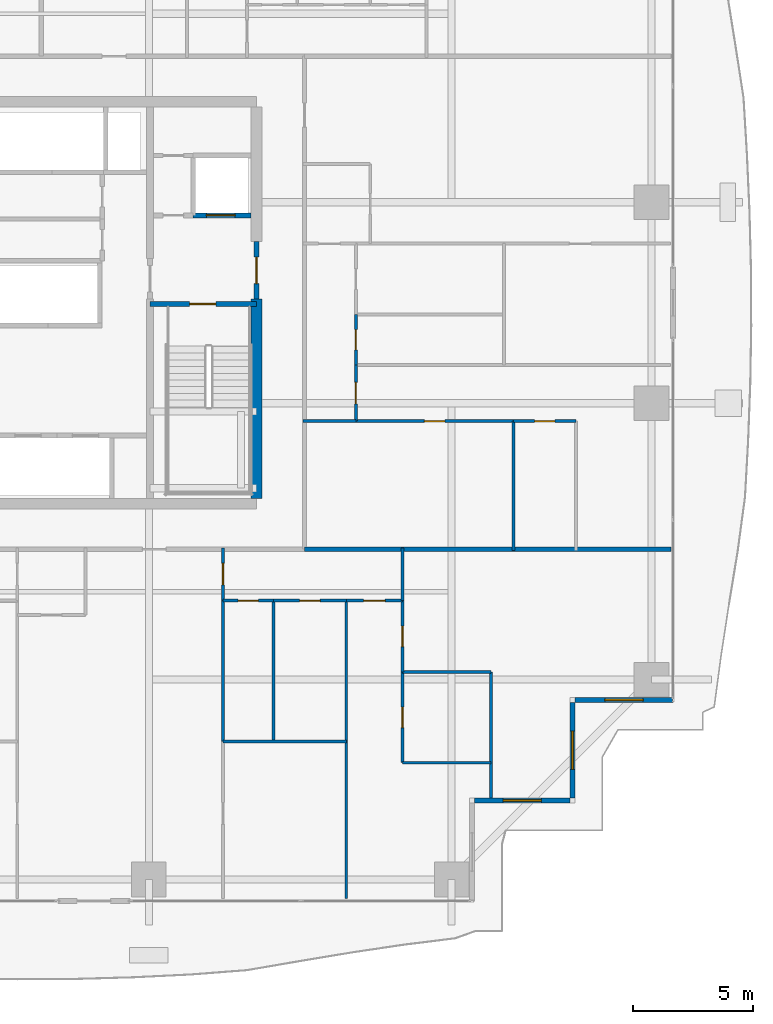
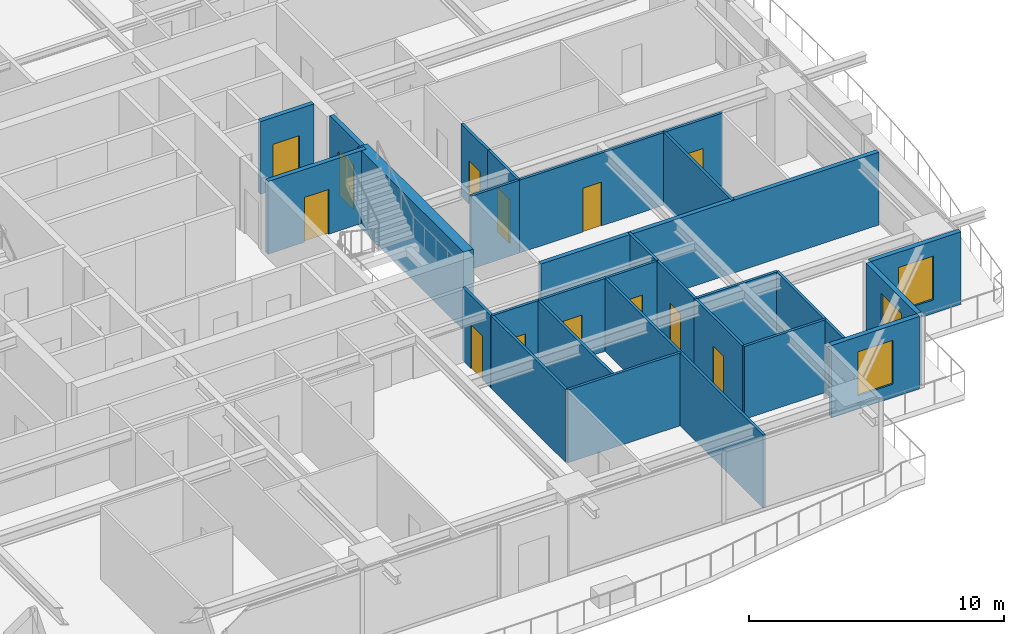
# One storey, part 29 of 39: 28 walls, 13 doors, 3 windows, 16 openings.
"""IFC4 building model written with IfcOpenShell, lengths in metres."""

from ifc_helpers import new_model, si_unit, direction, frame, frame_2d, origin, place, context, subcontext, project, spatial, rectangle, extrude, source, transform, mapped, material, layer, layer_set, type_object, element, fill, save


model = new_model("IFC4")

# Units and contexts
model_context = context("Model", 3, precision=1e-05, world=origin(), true_north=direction((0.0, 1.0)))
body_context = subcontext(model_context, "Body", "Model", "MODEL_VIEW")
ifc_project = project(units=[si_unit("LENGTHUNIT", "METRE"), si_unit("AREAUNIT", "SQUARE_METRE"), si_unit("VOLUMEUNIT", "CUBIC_METRE"), si_unit("PLANEANGLEUNIT", "RADIAN"), si_unit("MASSUNIT", "GRAM", prefix="KILO")], contexts=[model_context])

# Site, building, storey
site_placement = place(None, origin())
site = spatial("IfcSite", under=ifc_project, at=site_placement, CompositionType="ELEMENT")
building_placement = place(site_placement, origin())
building = spatial("IfcBuilding", under=site, at=building_placement, Name="Serunith Strait Residences", CompositionType="ELEMENT")
storey_placement = place(building_placement, frame((0.0, 0.0, 94.199951171875)))
storey = spatial("IfcBuildingStorey", under=building, at=storey_placement, Name="L23", CompositionType="ELEMENT", Elevation=94.199951171875)

# Wall, opening, window
ifc_material_1 = material(Name="Pale-Champagne Aluminium Insulated Panel", Category="aluminium")
ifc_layer_1 = layer(ifc_material_1, 0.219970703125, Name="Pale-Champagne Aluminium Insulated Panel")
ifc_layer_set_1 = layer_set([ifc_layer_1], Name="Pale-Champagne Aluminium Insulated Panel")
wall_type_1 = type_object("IfcWallType", Name="EW-ALUM-220", PredefinedType="ELEMENTEDWALL", material=ifc_layer_set_1)
wall_1_placement = place(storey_placement, frame((50.510009765625, 4.39990234375, 0.0), z_axis=(0.0, 0.0, 1.0), x_axis=(1.0, 0.0, 0.0)))
wall_1 = element("IfcWall", 1, at=wall_1_placement, inside=storey, type_object=wall_type_1, Name="L23 Girih Serrated Corner Wall 03", PredefinedType="ELEMENTEDWALL", context=body_context, shape_type="SweptSolid", body=[
    extrude(rectangle(XDim=3.97998046875, YDim=0.219970703125, at=frame_2d((1.989990234375, 0.0))), origin(), (0.0, 0.0, 1.0), 3.47509765625),
])
opening_1_placement = place(wall_1_placement, frame((1.18994140625, 0.0, 0.64990234375)))
opening_1 = element("IfcOpeningElement", 2, at=opening_1_placement, cuts=wall_1, Name="Opening W-02", PredefinedType="OPENING", context=body_context, shape_type="SweptSolid", body=[
    extrude(rectangle(XDim=1.60009765625, YDim=2.10009765625, at=frame_2d((0.800048828125, 1.050048828125))), frame((0.0, 0.1201171875, 0.0), z_axis=(0.0, -1.0, 0.0), x_axis=(1.0, 0.0, 0.0)), (0.0, 0.0, 1.0), 0.239990234375),
])
ifc_material_2 = material(Name="Ceramic-Fritted Operable Aluminium Window Glass", Category="aluminium")
window_type = type_object("IfcWindowType", Name="WIN-C2", PartitioningType="DOUBLE_PANEL_VERTICAL", PredefinedType="WINDOW", material=ifc_material_2)
shared_shape_1 = source(origin(), body_context, "Body", "SweptSolid", [
    extrude(rectangle(XDim=1.60009765625, YDim=2.10009765625, at=frame_2d((0.800048828125, 1.050048828125))), frame((0.0, 0.030029296875, 0.0), z_axis=(0.0, -1.0, 0.0), x_axis=(1.0, 0.0, 0.0)), (0.0, 0.0, 1.0), 0.06005859375),
])
window_1_placement = place(opening_1_placement, origin())
window_1 = element("IfcWindow", 3, at=window_1_placement, inside=storey, type_object=window_type, Name="L23 Corner Operable Fritted Window 03", OverallHeight=2.10009765625, OverallWidth=1.60009765625, PartitioningType="SINGLE_PANEL", PredefinedType="WINDOW", context=body_context, shape_type="MappedRepresentation", body=[
    mapped(shared_shape_1, transform((0.0, 0.0, 0.0), scale=1.0)),
])
fill(opening_1, window_1)

wall_2_placement = place(storey_placement, frame((54.60009765625, 4.510009765625, 0.0), z_axis=(0.0, 0.0, 1.0), x_axis=(0.0, 1.0, 0.0)))
wall_2 = element("IfcWall", 4, at=wall_2_placement, inside=storey, type_object=wall_type_1, Name="L23 Girih Serrated Corner Wall 04", PredefinedType="ELEMENTEDWALL", context=body_context, shape_type="SweptSolid", body=[
    extrude(rectangle(XDim=3.97998046875, YDim=0.219970703125, at=frame_2d((1.989990234375, 0.0))), origin(), (0.0, 0.0, 1.0), 3.47509765625),
])
opening_2_placement = place(wall_2_placement, frame((1.18994140625, 0.0, 0.64990234375)))
opening_2 = element("IfcOpeningElement", 5, at=opening_2_placement, cuts=wall_2, Name="Opening W-02", PredefinedType="OPENING", context=body_context, shape_type="SweptSolid", body=[
    extrude(rectangle(XDim=1.60009765625, YDim=2.10009765625, at=frame_2d((0.800048828125, 1.050048828125))), frame((0.0, 0.1201171875, 0.0), z_axis=(0.0, -1.0, 0.0), x_axis=(1.0, 0.0, 0.0)), (0.0, 0.0, 1.0), 0.239990234375),
])
window_2_placement = place(opening_2_placement, origin())
window_2 = element("IfcWindow", 6, at=window_2_placement, inside=storey, type_object=window_type, Name="L23 Corner Operable Fritted Window 04", OverallHeight=2.10009765625, OverallWidth=1.60009765625, PartitioningType="SINGLE_PANEL", PredefinedType="WINDOW", context=body_context, shape_type="MappedRepresentation", body=[
    mapped(shared_shape_1, transform((0.0, 0.0, 0.0), scale=1.0)),
])
fill(opening_2, window_2)

wall_3_placement = place(storey_placement, frame((54.7099609375, 8.60009765625, 0.0), z_axis=(0.0, 0.0, 1.0), x_axis=(1.0, 0.0, 0.0)))
wall_3 = element("IfcWall", 7, at=wall_3_placement, inside=storey, type_object=wall_type_1, Name="L23 Girih Serrated Corner Wall 05", PredefinedType="ELEMENTEDWALL", context=body_context, shape_type="SweptSolid", body=[
    extrude(rectangle(XDim=4.090087890625, YDim=0.219970703125, at=frame_2d((2.044921875, 0.0))), origin(), (0.0, 0.0, 1.0), 3.47509765625),
])
opening_3_placement = place(wall_3_placement, frame((1.2451171875, 0.0, 0.64990234375)))
opening_3 = element("IfcOpeningElement", 8, at=opening_3_placement, cuts=wall_3, Name="Opening W-02", PredefinedType="OPENING", context=body_context, shape_type="SweptSolid", body=[
    extrude(rectangle(XDim=1.60009765625, YDim=2.10009765625, at=frame_2d((0.800048828125, 1.050048828125))), frame((0.0, 0.1201171875, 0.0), z_axis=(0.0, -1.0, 0.0), x_axis=(1.0, 0.0, 0.0)), (0.0, 0.0, 1.0), 0.239990234375),
])
window_3_placement = place(opening_3_placement, origin())
window_3 = element("IfcWindow", 9, at=window_3_placement, inside=storey, type_object=window_type, Name="L23 Corner Operable Fritted Window 05", OverallHeight=2.10009765625, OverallWidth=1.60009765625, PartitioningType="SINGLE_PANEL", PredefinedType="WINDOW", context=body_context, shape_type="MappedRepresentation", body=[
    mapped(shared_shape_1, transform((0.0, 0.0, 0.0), scale=1.0)),
])
fill(opening_3, window_3)

# Wall, opening, door
ifc_material_3 = material(Name="Lightweight steel-stud gypsum partition", Category="steel")
ifc_layer_2 = layer(ifc_material_3, 0.1201171875, Name="Lightweight steel-stud gypsum partition")
ifc_layer_set_2 = layer_set([ifc_layer_2], Name="Lightweight steel-stud gypsum partition")
wall_type_2 = type_object("IfcWallType", Name="IW-PART-120", PredefinedType="PARTITIONING", material=ifc_layer_set_2)
wall_4_placement = place(storey_placement, frame((40.0, 12.75, 0.0), z_axis=(0.0, 0.0, 1.0), x_axis=(0.0, 1.0, 0.0)))
wall_4 = element("IfcWall", 10, at=wall_4_placement, inside=storey, type_object=wall_type_2, Name="L23 Partition Wall 043", PredefinedType="PARTITIONING", context=body_context, shape_type="SweptSolid", body=[
    extrude(rectangle(XDim=2.2099609375, YDim=0.1201171875, at=frame_2d((1.10498046875, 0.0))), origin(), (0.0, 0.0, 1.0), 3.489990234375),
])
opening_4_placement = place(wall_4_placement, frame((0.655029296875, 0.0, 0.0)))
opening_4 = element("IfcOpeningElement", 11, at=opening_4_placement, cuts=wall_4, Name="Opening D-RM900", PredefinedType="OPENING", context=body_context, shape_type="SweptSolid", body=[
    extrude(rectangle(XDim=0.89990234375, YDim=2.10009765625, at=frame_2d((0.449951171875, 1.050048828125))), frame((0.0, 0.070068359375, 0.0), z_axis=(0.0, -1.0, 0.0), x_axis=(1.0, 0.0, 0.0)), (0.0, 0.0, 1.0), 0.14013671875),
])
ifc_material_4 = material(Name="Engineered timber flush bedroom door", Category="wood")
door_type_1 = type_object("IfcDoorType", Name="ID-ROOM-900", OperationType="NOTDEFINED", PredefinedType="DOOR", material=ifc_material_4)
shared_shape_2 = source(origin(), body_context, "Body", "SweptSolid", [
    extrude(rectangle(XDim=0.89990234375, YDim=2.10009765625, at=frame_2d((0.449951171875, 1.050048828125))), frame((0.0, 0.02490234375, 0.0), z_axis=(0.0, -1.0, 0.0), x_axis=(1.0, 0.0, 0.0)), (0.0, 0.0, 1.0), 0.050048828125),
])
door_1_placement = place(opening_4_placement, origin())
door_1 = element("IfcDoor", 12, at=door_1_placement, inside=storey, type_object=door_type_1, Name="L23 Hall E 2301 Door", OperationType="SINGLE_SWING_LEFT", OverallHeight=2.10009765625, OverallWidth=0.89990234375, PredefinedType="DOOR", context=body_context, shape_type="MappedRepresentation", body=[
    mapped(shared_shape_2, transform((0.0, 0.0, 0.0), scale=1.0)),
])
fill(opening_4, door_1)

# Walls
wall_5_placement = place(storey_placement, frame((40.0, 6.862060546875, 0.0), z_axis=(0.0, 0.0, 1.0), x_axis=(0.0, 1.0, 0.0)))
element("IfcWall", 13, at=wall_5_placement, inside=storey, type_object=wall_type_2, Name="L23 Partition Wall 045", PredefinedType="PARTITIONING", context=body_context, shape_type="SweptSolid", body=[
    extrude(rectangle(XDim=5.885986328125, YDim=0.1201171875, at=frame_2d((2.94287109375, 0.0))), origin(), (0.0, 0.0, 1.0), 3.489990234375),
])
wall_6_placement = place(storey_placement, frame((40.0, 6.860107421875, 0.0), z_axis=(0.0, 0.0, 1.0), x_axis=(1.0, 0.0, 0.0)))
element("IfcWall", 14, at=wall_6_placement, inside=storey, type_object=wall_type_2, Name="L23 Partition Wall 046", PredefinedType="PARTITIONING", context=body_context, shape_type="SweptSolid", body=[
    extrude(rectangle(XDim=5.14990234375, YDim=0.1201171875, at=frame_2d((2.574951171875, 0.0))), origin(), (0.0, 0.0, 1.0), 3.489990234375),
])
wall_7_placement = place(storey_placement, frame((45.14990234375, 0.294921875, 0.0), z_axis=(0.0, 0.0, 1.0), x_axis=(0.0, 1.0, 0.0)))
element("IfcWall", 15, at=wall_7_placement, inside=storey, type_object=wall_type_2, Name="L23 Partition Wall 047", PredefinedType="PARTITIONING", context=body_context, shape_type="SweptSolid", body=[
    extrude(rectangle(XDim=12.455078125, YDim=0.1201171875, at=frame_2d((6.2275390625, 0.0))), origin(), (0.0, 0.0, 1.0), 3.489990234375),
])
wall_8_placement = place(storey_placement, frame((42.10009765625, 6.860107421875, 0.0), z_axis=(0.0, 0.0, 1.0), x_axis=(0.0, 1.0, 0.0)))
element("IfcWall", 16, at=wall_8_placement, inside=storey, type_object=wall_type_2, Name="L23 Partition Wall 048", PredefinedType="PARTITIONING", context=body_context, shape_type="SweptSolid", body=[
    extrude(rectangle(XDim=5.889892578125, YDim=0.1201171875, at=frame_2d((2.94482421875, 0.0))), origin(), (0.0, 0.0, 1.0), 3.489990234375),
])

# Wall, opening, door
wall_9_placement = place(storey_placement, frame((40.0, 12.75, 0.0), z_axis=(0.0, 0.0, 1.0), x_axis=(1.0, 0.0, 0.0)))
wall_9 = element("IfcWall", 17, at=wall_9_placement, inside=storey, type_object=wall_type_2, Name="L23 Partition Wall 049", PredefinedType="PARTITIONING", context=body_context, shape_type="SweptSolid", body=[
    extrude(rectangle(XDim=2.10009765625, YDim=0.1201171875, at=frame_2d((1.050048828125, 0.0))), origin(), (0.0, 0.0, 1.0), 3.489990234375),
])
opening_5_placement = place(wall_9_placement, frame((0.625, 0.0, 0.0)))
opening_5 = element("IfcOpeningElement", 18, at=opening_5_placement, cuts=wall_9, Name="Opening D-RM850", PredefinedType="OPENING", context=body_context, shape_type="SweptSolid", body=[
    extrude(rectangle(XDim=0.85009765625, YDim=2.10009765625, at=frame_2d((0.425048828125, 1.050048828125))), frame((0.0, 0.070068359375, 0.0), z_axis=(0.0, -1.0, 0.0), x_axis=(1.0, 0.0, 0.0)), (0.0, 0.0, 1.0), 0.14013671875),
])
ifc_material_5 = material(Name="Engineered timber flush study and kitchen door", Category="wood")
door_type_2 = type_object("IfcDoorType", Name="ID-ROOM-850", OperationType="NOTDEFINED", PredefinedType="DOOR", material=ifc_material_5)
shared_shape_3 = source(origin(), body_context, "Body", "SweptSolid", [
    extrude(rectangle(XDim=0.85009765625, YDim=2.10009765625, at=frame_2d((0.425048828125, 1.050048828125))), frame((0.0, 0.02490234375, 0.0), z_axis=(0.0, -1.0, 0.0), x_axis=(1.0, 0.0, 0.0)), (0.0, 0.0, 1.0), 0.050048828125),
])
door_2_placement = place(opening_5_placement, origin())
door_2 = element("IfcDoor", 19, at=door_2_placement, inside=storey, type_object=door_type_2, Name="L23 Study 2301 Door", OperationType="SINGLE_SWING_LEFT", OverallHeight=2.10009765625, OverallWidth=0.85009765625, PredefinedType="DOOR", context=body_context, shape_type="MappedRepresentation", body=[
    mapped(shared_shape_3, transform((0.0, 0.0, 0.0), scale=1.0)),
])
fill(opening_5, door_2)

wall_10_placement = place(storey_placement, frame((42.10205078125, 12.75, 0.0), z_axis=(0.0, 0.0, 1.0), x_axis=(1.0, 0.0, 0.0)))
wall_10 = element("IfcWall", 20, at=wall_10_placement, inside=storey, type_object=wall_type_2, Name="L23 Partition Wall 050", PredefinedType="PARTITIONING", context=body_context, shape_type="SweptSolid", body=[
    extrude(rectangle(XDim=3.0478515625, YDim=0.1201171875, at=frame_2d((1.52392578125, 0.0))), origin(), (0.0, 0.0, 1.0), 3.489990234375),
])
opening_6_placement = place(wall_10_placement, frame((1.09912109375, 0.0, 0.0)))
opening_6 = element("IfcOpeningElement", 21, at=opening_6_placement, cuts=wall_10, Name="Opening D-RM850", PredefinedType="OPENING", context=body_context, shape_type="SweptSolid", body=[
    extrude(rectangle(XDim=0.85009765625, YDim=2.10009765625, at=frame_2d((0.425048828125, 1.050048828125))), frame((0.0, 0.070068359375, 0.0), z_axis=(0.0, -1.0, 0.0), x_axis=(1.0, 0.0, 0.0)), (0.0, 0.0, 1.0), 0.14013671875),
])
door_3_placement = place(opening_6_placement, origin())
door_3 = element("IfcDoor", 22, at=door_3_placement, inside=storey, type_object=door_type_2, Name="L23 Formal Dining Room 2301 Door", OperationType="SINGLE_SWING_RIGHT", OverallHeight=2.10009765625, OverallWidth=0.85009765625, PredefinedType="DOOR", context=body_context, shape_type="MappedRepresentation", body=[
    mapped(shared_shape_3, transform((0.0, 0.0, 0.0), scale=1.0)),
])
fill(opening_6, door_3)

wall_11_placement = place(storey_placement, frame((45.152099609375, 12.75, 0.0), z_axis=(0.0, 0.0, 1.0), x_axis=(1.0, 0.0, 0.0)))
wall_11 = element("IfcWall", 23, at=wall_11_placement, inside=storey, type_object=wall_type_2, Name="L23 Partition Wall 051", PredefinedType="PARTITIONING", context=body_context, shape_type="SweptSolid", body=[
    extrude(rectangle(XDim=2.347900390625, YDim=0.1201171875, at=frame_2d((1.173828125, 0.0))), origin(), (0.0, 0.0, 1.0), 3.489990234375),
])
opening_7_placement = place(wall_11_placement, frame((0.72412109375, 0.0, 0.0)))
opening_7 = element("IfcOpeningElement", 24, at=opening_7_placement, cuts=wall_11, Name="Opening D-RM900", PredefinedType="OPENING", context=body_context, shape_type="SweptSolid", body=[
    extrude(rectangle(XDim=0.89990234375, YDim=2.10009765625, at=frame_2d((0.449951171875, 1.050048828125))), frame((0.0, 0.070068359375, 0.0), z_axis=(0.0, -1.0, 0.0), x_axis=(1.0, 0.0, 0.0)), (0.0, 0.0, 1.0), 0.14013671875),
])
door_4_placement = place(opening_7_placement, origin())
door_4 = element("IfcDoor", 25, at=door_4_placement, inside=storey, type_object=door_type_1, Name="L23 Master Bedroom E 2301 Door", OperationType="SINGLE_SWING_LEFT", OverallHeight=2.10009765625, OverallWidth=0.89990234375, PredefinedType="DOOR", context=body_context, shape_type="MappedRepresentation", body=[
    mapped(shared_shape_2, transform((0.0, 0.0, 0.0), scale=1.0)),
])
fill(opening_7, door_4)

# Walls
wall_12_placement = place(storey_placement, frame((47.5, 5.97802734375, 0.0), z_axis=(0.0, 0.0, 1.0), x_axis=(1.0, 0.0, 0.0)))
element("IfcWall", 26, at=wall_12_placement, inside=storey, type_object=wall_type_2, Name="L23 Partition Wall 052", PredefinedType="PARTITIONING", context=body_context, shape_type="SweptSolid", body=[
    extrude(rectangle(XDim=3.699951171875, YDim=0.1201171875, at=frame_2d((1.85009765625, 0.0))), origin(), (0.0, 0.0, 1.0), 3.489990234375),
])
wall_13_placement = place(storey_placement, frame((51.199951171875, 4.4951171875, 0.0), z_axis=(0.0, 0.0, 1.0), x_axis=(0.0, 1.0, 0.0)))
element("IfcWall", 27, at=wall_13_placement, inside=storey, type_object=wall_type_2, Name="L23 Partition Wall 053", PredefinedType="PARTITIONING", context=body_context, shape_type="SweptSolid", body=[
    extrude(rectangle(XDim=5.266845703125, YDim=0.1201171875, at=frame_2d((2.63330078125, 0.0))), origin(), (0.0, 0.0, 1.0), 3.489990234375),
])
wall_14_placement = place(storey_placement, frame((47.5, 9.761962890625, 0.0), z_axis=(0.0, 0.0, 1.0), x_axis=(1.0, 0.0, 0.0)))
element("IfcWall", 28, at=wall_14_placement, inside=storey, type_object=wall_type_2, Name="L23 Partition Wall 054", PredefinedType="PARTITIONING", context=body_context, shape_type="SweptSolid", body=[
    extrude(rectangle(XDim=3.699951171875, YDim=0.1201171875, at=frame_2d((1.85009765625, 0.0))), origin(), (0.0, 0.0, 1.0), 3.489990234375),
])

# Wall, opening, door
wall_15_placement = place(storey_placement, frame((47.5, 5.97802734375, 0.0), z_axis=(0.0, 0.0, 1.0), x_axis=(0.0, 1.0, 0.0)))
wall_15 = element("IfcWall", 29, at=wall_15_placement, inside=storey, type_object=wall_type_2, Name="L23 Partition Wall 055", PredefinedType="PARTITIONING", context=body_context, shape_type="SweptSolid", body=[
    extrude(rectangle(XDim=3.783935546875, YDim=0.1201171875, at=frame_2d((1.89208984375, 0.0))), origin(), (0.0, 0.0, 1.0), 3.489990234375),
])
opening_8_placement = place(wall_15_placement, frame((1.467041015625, 0.0, 0.0)))
opening_8 = element("IfcOpeningElement", 30, at=opening_8_placement, cuts=wall_15, Name="Opening D-BTH850", PredefinedType="OPENING", context=body_context, shape_type="SweptSolid", body=[
    extrude(rectangle(XDim=0.85009765625, YDim=2.10009765625, at=frame_2d((0.425048828125, 1.050048828125))), frame((0.0, 0.070068359375, 0.0), z_axis=(0.0, -1.0, 0.0), x_axis=(1.0, 0.0, 0.0)), (0.0, 0.0, 1.0), 0.14013671875),
])
ifc_material_6 = material(Name="Moisture-resistant timber bathroom door", Category="wood")
door_type_3 = type_object("IfcDoorType", Name="ID-BATH-850", OperationType="NOTDEFINED", PredefinedType="DOOR", material=ifc_material_6)
door_5_placement = place(opening_8_placement, origin())
door_5 = element("IfcDoor", 31, at=door_5_placement, inside=storey, type_object=door_type_3, Name="L23 En-suite Bathroom E 2301 Door", OperationType="SINGLE_SWING_RIGHT", OverallHeight=2.10009765625, OverallWidth=0.85009765625, PredefinedType="DOOR", context=body_context, shape_type="MappedRepresentation", body=[
    mapped(shared_shape_3, transform((0.0, 0.0, 0.0), scale=1.0)),
])
fill(opening_8, door_5)

wall_16_placement = place(storey_placement, frame((47.5, 9.763916015625, 0.0), z_axis=(0.0, 0.0, 1.0), x_axis=(0.0, 1.0, 0.0)))
wall_16 = element("IfcWall", 32, at=wall_16_placement, inside=storey, type_object=wall_type_2, Name="L23 Partition Wall 056", PredefinedType="PARTITIONING", context=body_context, shape_type="SweptSolid", body=[
    extrude(rectangle(XDim=2.986083984375, YDim=0.1201171875, at=frame_2d((1.4931640625, 0.0))), origin(), (0.0, 0.0, 1.0), 3.489990234375),
])
opening_9_placement = place(wall_16_placement, frame((1.068115234375, 0.0, 0.0)))
opening_9 = element("IfcOpeningElement", 33, at=opening_9_placement, cuts=wall_16, Name="Opening D-RM850", PredefinedType="OPENING", context=body_context, shape_type="SweptSolid", body=[
    extrude(rectangle(XDim=0.85009765625, YDim=2.10009765625, at=frame_2d((0.425048828125, 1.050048828125))), frame((0.0, 0.070068359375, 0.0), z_axis=(0.0, -1.0, 0.0), x_axis=(1.0, 0.0, 0.0)), (0.0, 0.0, 1.0), 0.14013671875),
])
door_6_placement = place(opening_9_placement, origin())
door_6 = element("IfcDoor", 34, at=door_6_placement, inside=storey, type_object=door_type_2, Name="L23 Wardrobe E 2301 Door", OperationType="SINGLE_SWING_LEFT", OverallHeight=2.10009765625, OverallWidth=0.85009765625, PredefinedType="DOOR", context=body_context, shape_type="MappedRepresentation", body=[
    mapped(shared_shape_3, transform((0.0, 0.0, 0.0), scale=1.0)),
])
fill(opening_9, door_6)

# Wall
wall_17_placement = place(storey_placement, frame((47.5, 12.751953125, 0.0), z_axis=(0.0, 0.0, 1.0), x_axis=(0.0, 1.0, 0.0)))
element("IfcWall", 35, at=wall_17_placement, inside=storey, type_object=wall_type_2, Name="L23 Partition Wall 057", PredefinedType="PARTITIONING", context=body_context, shape_type="SweptSolid", body=[
    extrude(rectangle(XDim=2.2080078125, YDim=0.1201171875, at=frame_2d((1.10400390625, 0.0))), origin(), (0.0, 0.0, 1.0), 3.489990234375),
])

# Wall, opening, door
wall_18_placement = place(storey_placement, frame((45.550048828125, 22.60009765625, 0.0), z_axis=(0.0, 0.0, 1.0), x_axis=(0.0, 1.0, 0.0)))
wall_18 = element("IfcWall", 36, at=wall_18_placement, inside=storey, type_object=wall_type_2, Name="L23 Partition Wall 116", PredefinedType="PARTITIONING", context=body_context, shape_type="SweptSolid", body=[
    extrude(rectangle(XDim=2.099853515625, YDim=0.1201171875, at=frame_2d((1.0498046875, 0.0))), origin(), (0.0, 0.0, 1.0), 3.489990234375),
])
opening_10_placement = place(wall_18_placement, frame((0.625, 0.0, 0.0)))
opening_10 = element("IfcOpeningElement", 37, at=opening_10_placement, cuts=wall_18, Name="Opening D-BTH850", PredefinedType="OPENING", context=body_context, shape_type="SweptSolid", body=[
    extrude(rectangle(XDim=0.85009765625, YDim=2.10009765625, at=frame_2d((0.425048828125, 1.050048828125))), frame((0.0, 0.070068359375, 0.0), z_axis=(0.0, -1.0, 0.0), x_axis=(1.0, 0.0, 0.0)), (0.0, 0.0, 1.0), 0.14013671875),
])
door_7_placement = place(opening_10_placement, origin())
door_7 = element("IfcDoor", 38, at=door_7_placement, inside=storey, type_object=door_type_3, Name="L23 Bathroom 2305 Door", OperationType="SINGLE_SWING_LEFT", OverallHeight=2.10009765625, OverallWidth=0.85009765625, PredefinedType="DOOR", context=body_context, shape_type="MappedRepresentation", body=[
    mapped(shared_shape_3, transform((0.0, 0.0, 0.0), scale=1.0)),
])
fill(opening_10, door_7)

wall_19_placement = place(storey_placement, frame((45.550048828125, 20.25, 0.0), z_axis=(0.0, 0.0, 1.0), x_axis=(0.0, 1.0, 0.0)))
wall_19 = element("IfcWall", 39, at=wall_19_placement, inside=storey, type_object=wall_type_2, Name="L23 Partition Wall 118", PredefinedType="PARTITIONING", context=body_context, shape_type="SweptSolid", body=[
    extrude(rectangle(XDim=2.347900390625, YDim=0.1201171875, at=frame_2d((1.173828125, 0.0))), origin(), (0.0, 0.0, 1.0), 3.489990234375),
])
opening_11_placement = place(wall_19_placement, frame((0.72412109375, 0.0, 0.0)))
opening_11 = element("IfcOpeningElement", 40, at=opening_11_placement, cuts=wall_19, Name="Opening D-RM900", PredefinedType="OPENING", context=body_context, shape_type="SweptSolid", body=[
    extrude(rectangle(XDim=0.89990234375, YDim=2.10009765625, at=frame_2d((0.449951171875, 1.050048828125))), frame((0.0, 0.070068359375, 0.0), z_axis=(0.0, -1.0, 0.0), x_axis=(1.0, 0.0, 0.0)), (0.0, 0.0, 1.0), 0.14013671875),
])
door_8_placement = place(opening_11_placement, origin())
door_8 = element("IfcDoor", 41, at=door_8_placement, inside=storey, type_object=door_type_1, Name="L23 Master Bedroom W 2305 Door", OperationType="SINGLE_SWING_LEFT", OverallHeight=2.10009765625, OverallWidth=0.89990234375, PredefinedType="DOOR", context=body_context, shape_type="MappedRepresentation", body=[
    mapped(shared_shape_2, transform((0.0, 0.0, 0.0), scale=1.0)),
])
fill(opening_11, door_8)

# Wall
wall_20_placement = place(storey_placement, frame((52.133056640625, 14.840087890625, 0.0), z_axis=(0.0, 0.0, 1.0), x_axis=(0.0, 1.0, 0.0)))
element("IfcWall", 42, at=wall_20_placement, inside=storey, type_object=wall_type_2, Name="L23 Partition Wall 120", PredefinedType="PARTITIONING", context=body_context, shape_type="SweptSolid", body=[
    extrude(rectangle(XDim=5.409912109375, YDim=0.1201171875, at=frame_2d((2.705078125, 0.0))), origin(), (0.0, 0.0, 1.0), 3.489990234375),
])

# Wall, opening, door
wall_21_placement = place(storey_placement, frame((54.75, 20.25, 0.0), z_axis=(0.0, 0.0, 1.0), x_axis=(-1.0, 0.0, 0.0)))
wall_21 = element("IfcWall", 43, at=wall_21_placement, inside=storey, type_object=wall_type_2, Name="L23 Partition Wall 121", PredefinedType="PARTITIONING", context=body_context, shape_type="SweptSolid", body=[
    extrude(rectangle(XDim=2.616943359375, YDim=0.1201171875, at=frame_2d((1.30859375, 0.0))), origin(), (0.0, 0.0, 1.0), 3.489990234375),
])
opening_12_placement = place(wall_21_placement, frame((0.883056640625, 0.0, 0.0)))
opening_12 = element("IfcOpeningElement", 44, at=opening_12_placement, cuts=wall_21, Name="Opening D-BTH850", PredefinedType="OPENING", context=body_context, shape_type="SweptSolid", body=[
    extrude(rectangle(XDim=0.85009765625, YDim=2.10009765625, at=frame_2d((0.425048828125, 1.050048828125))), frame((0.0, 0.070068359375, 0.0), z_axis=(0.0, -1.0, 0.0), x_axis=(1.0, 0.0, 0.0)), (0.0, 0.0, 1.0), 0.14013671875),
])
door_9_placement = place(opening_12_placement, origin())
door_9 = element("IfcDoor", 45, at=door_9_placement, inside=storey, type_object=door_type_3, Name="L23 En-suite Bathroom W 2305 Door", OperationType="SINGLE_SWING_RIGHT", OverallHeight=2.10009765625, OverallWidth=0.85009765625, PredefinedType="DOOR", context=body_context, shape_type="MappedRepresentation", body=[
    mapped(shared_shape_3, transform((0.0, 0.0, 0.0), scale=1.0)),
])
fill(opening_12, door_9)

wall_22_placement = place(storey_placement, frame((52.131103515625, 20.25, 0.0), z_axis=(0.0, 0.0, 1.0), x_axis=(-1.0, 0.0, 0.0)))
wall_22 = element("IfcWall", 46, at=wall_22_placement, inside=storey, type_object=wall_type_2, Name="L23 Partition Wall 122", PredefinedType="PARTITIONING", context=body_context, shape_type="SweptSolid", body=[
    extrude(rectangle(XDim=6.5810546875, YDim=0.1201171875, at=frame_2d((3.29052734375, 0.0))), origin(), (0.0, 0.0, 1.0), 3.489990234375),
])
opening_13_placement = place(wall_22_placement, frame((2.865966796875, 0.0, 0.0)))
opening_13 = element("IfcOpeningElement", 47, at=opening_13_placement, cuts=wall_22, Name="Opening D-RM850", PredefinedType="OPENING", context=body_context, shape_type="SweptSolid", body=[
    extrude(rectangle(XDim=0.85009765625, YDim=2.10009765625, at=frame_2d((0.425048828125, 1.050048828125))), frame((0.0, 0.070068359375, 0.0), z_axis=(0.0, -1.0, 0.0), x_axis=(1.0, 0.0, 0.0)), (0.0, 0.0, 1.0), 0.14013671875),
])
door_10_placement = place(opening_13_placement, origin())
door_10 = element("IfcDoor", 48, at=door_10_placement, inside=storey, type_object=door_type_2, Name="L23 Wardrobe W 2305 Door", OperationType="SINGLE_SWING_LEFT", OverallHeight=2.10009765625, OverallWidth=0.85009765625, PredefinedType="DOOR", context=body_context, shape_type="MappedRepresentation", body=[
    mapped(shared_shape_3, transform((0.0, 0.0, 0.0), scale=1.0)),
])
fill(opening_13, door_10)

# Walls
wall_23_placement = place(storey_placement, frame((45.548095703125, 20.25, 0.0), z_axis=(0.0, 0.0, 1.0), x_axis=(-1.0, 0.0, 0.0)))
element("IfcWall", 49, at=wall_23_placement, inside=storey, type_object=wall_type_2, Name="L23 Partition Wall 123", PredefinedType="PARTITIONING", context=body_context, shape_type="SweptSolid", body=[
    extrude(rectangle(XDim=2.2080078125, YDim=0.1201171875, at=frame_2d((1.10400390625, 0.0))), origin(), (0.0, 0.0, 1.0), 3.489990234375),
])
ifc_material_7 = material(Name="Twin-stud acoustic gypsum board partition")
ifc_layer_3 = layer(ifc_material_7, 0.199951171875, Name="Twin-stud acoustic gypsum board partition")
ifc_layer_set_3 = layer_set([ifc_layer_3], Name="Twin-stud acoustic gypsum board partition")
wall_type_3 = type_object("IfcWallType", Name="IW-PARTY-200", PredefinedType="PARTITIONING", material=ifc_layer_set_3)
wall_24_placement = place(storey_placement, frame((43.39990234375, 14.89990234375, 0.0), z_axis=(0.0, 0.0, 1.0), x_axis=(1.0, 0.0, 0.0)))
element("IfcWall", 50, at=wall_24_placement, inside=storey, type_object=wall_type_3, Name="L23 Partition Wall 019", PredefinedType="PARTITIONING", context=body_context, shape_type="SweptSolid", body=[
    extrude(rectangle(XDim=15.318115234375, YDim=0.199951171875, at=frame_2d((7.6591796875, 0.0))), origin(), (0.0, 0.0, 1.0), 3.489990234375),
])

# Wall, opening, door
ifc_material_8 = material(Name="Autoclaved aerated concrete blockwork", Category="masonry")
ifc_layer_4 = layer(ifc_material_8, 0.199951171875, Name="Autoclaved aerated concrete blockwork")
ifc_layer_set_4 = layer_set([ifc_layer_4], Name="Autoclaved aerated concrete blockwork")
wall_type_4 = type_object("IfcWallType", Name="IW-SHAFT-200", PredefinedType="STANDARD", material=ifc_layer_set_4)
wall_25_placement = place(storey_placement, frame((36.949951171875, 25.14990234375, 0.0), z_axis=(0.0, 0.0, 1.0), x_axis=(1.0, 0.0, 0.0)))
wall_25 = element("IfcWall", 51, at=wall_25_placement, inside=storey, type_object=wall_type_4, Name="L23 ST-2 North Shaft Wall", PredefinedType="STANDARD", context=body_context, shape_type="SweptSolid", body=[
    extrude(rectangle(XDim=4.449951171875, YDim=0.199951171875, at=frame_2d((2.22509765625, 0.0))), origin(), (0.0, 0.0, 1.0), 3.489990234375),
])
opening_14_placement = place(wall_25_placement, frame((1.64990234375, 0.0, 0.0)))
opening_14 = element("IfcOpeningElement", 52, at=opening_14_placement, cuts=wall_25, Name="Opening FD-1100", PredefinedType="OPENING", context=body_context, shape_type="SweptSolid", body=[
    extrude(rectangle(XDim=1.10009765625, YDim=2.14990234375, at=frame_2d((0.550048828125, 1.074951171875))), frame((0.0, 0.10986328125, 0.0), z_axis=(0.0, -1.0, 0.0), x_axis=(1.0, 0.0, 0.0)), (0.0, 0.0, 1.0), 0.219970703125),
])
ifc_material_9 = material(Name="Galvanised steel fire door leaf", Category="steel")
door_type_4 = type_object("IfcDoorType", Name="FD-STAIR-1100", OperationType="NOTDEFINED", PredefinedType="DOOR", material=ifc_material_9)
shared_shape_4 = source(origin(), body_context, "Body", "SweptSolid", [
    extrude(rectangle(XDim=1.10009765625, YDim=2.14990234375, at=frame_2d((0.550048828125, 1.074951171875))), frame((0.0, 0.02490234375, 0.0), z_axis=(0.0, -1.0, 0.0), x_axis=(1.0, 0.0, 0.0)), (0.0, 0.0, 1.0), 0.050048828125),
])
door_11_placement = place(opening_14_placement, origin())
door_11 = element("IfcDoor", 53, at=door_11_placement, inside=storey, type_object=door_type_4, Name="L23 ST-2 Escape Stair Door", OperationType="SINGLE_SWING_RIGHT", OverallHeight=2.14990234375, OverallWidth=1.10009765625, PredefinedType="DOOR", context=body_context, shape_type="MappedRepresentation", body=[
    mapped(shared_shape_4, transform((0.0, 0.0, 0.0), scale=1.0)),
])
fill(opening_14, door_11)

wall_26_placement = place(storey_placement, frame((38.75, 28.85009765625, 0.0), z_axis=(0.0, 0.0, 1.0), x_axis=(1.0, 0.0, 0.0)))
wall_26 = element("IfcWall", 54, at=wall_26_placement, inside=storey, type_object=wall_type_4, Name="L23 FL-2 South Shaft Wall", PredefinedType="STANDARD", context=body_context, shape_type="SweptSolid", body=[
    extrude(rectangle(XDim=2.425048828125, YDim=0.199951171875, at=frame_2d((1.21240234375, 0.0))), origin(), (0.0, 0.0, 1.0), 3.489990234375),
])
opening_15_placement = place(wall_26_placement, frame((0.550048828125, 0.0, 0.0)))
opening_15 = element("IfcOpeningElement", 55, at=opening_15_placement, cuts=wall_26, Name="Opening LD-FF1200", PredefinedType="OPENING", context=body_context, shape_type="SweptSolid", body=[
    extrude(rectangle(XDim=1.199951171875, YDim=2.199951171875, at=frame_2d((0.60009765625, 1.10009765625))), frame((0.0, 0.10986328125, 0.0), z_axis=(0.0, -1.0, 0.0), x_axis=(1.0, 0.0, 0.0)), (0.0, 0.0, 1.0), 0.219970703125),
])
ifc_material_10 = material(Name="Brushed stainless steel landing door", Category="steel")
door_type_5 = type_object("IfcDoorType", Name="LD-FF-1200", OperationType="DOUBLE_DOOR_SLIDING", PredefinedType="DOOR", material=ifc_material_10)
shared_shape_5 = source(origin(), body_context, "Body", "SweptSolid", [
    extrude(rectangle(XDim=1.199951171875, YDim=2.199951171875, at=frame_2d((0.60009765625, 1.10009765625))), frame((0.0, 0.02490234375, 0.0), z_axis=(0.0, -1.0, 0.0), x_axis=(1.0, 0.0, 0.0)), (0.0, 0.0, 1.0), 0.050048828125),
])
door_12_placement = place(opening_15_placement, origin())
door_12 = element("IfcDoor", 56, at=door_12_placement, inside=storey, type_object=door_type_5, Name="L23 FL-2 Landing Door", OperationType="DOUBLE_DOOR_SLIDING", OverallHeight=2.199951171875, OverallWidth=1.199951171875, PredefinedType="DOOR", context=body_context, shape_type="MappedRepresentation", body=[
    mapped(shared_shape_5, transform((0.0, 0.0, 0.0), scale=1.0)),
])
fill(opening_15, door_12)

wall_27_placement = place(storey_placement, frame((41.39990234375, 25.35205078125, 0.0), z_axis=(0.0, 0.0, 1.0), x_axis=(0.0, 1.0, 0.0)))
wall_27 = element("IfcWall", 57, at=wall_27_placement, inside=storey, type_object=wall_type_4, Name="L23 Partition Wall 008", PredefinedType="STANDARD", context=body_context, shape_type="SweptSolid", body=[
    extrude(rectangle(XDim=2.39599609375, YDim=0.199951171875, at=frame_2d((1.197998046875, 0.0))), origin(), (0.0, 0.0, 1.0), 3.489990234375),
])
opening_16_placement = place(wall_27_placement, frame((0.64794921875, 0.0, 0.0)))
opening_16 = element("IfcOpeningElement", 58, at=opening_16_placement, cuts=wall_27, Name="Opening FD-FFL", PredefinedType="OPENING", context=body_context, shape_type="SweptSolid", body=[
    extrude(rectangle(XDim=1.10009765625, YDim=2.14990234375, at=frame_2d((0.550048828125, 1.074951171875))), frame((0.0, 0.10986328125, 0.0), z_axis=(0.0, -1.0, 0.0), x_axis=(1.0, 0.0, 0.0)), (0.0, 0.0, 1.0), 0.219970703125),
])
ifc_material_11 = material(Name="Glazed steel smoke-lobby fire door", Category="steel")
door_type_6 = type_object("IfcDoorType", Name="FD-FFL-1100", OperationType="NOTDEFINED", PredefinedType="DOOR", material=ifc_material_11)
door_13_placement = place(opening_16_placement, origin())
door_13 = element("IfcDoor", 59, at=door_13_placement, inside=storey, type_object=door_type_6, Name="L23 FFL-2 Corridor Fire Door", OperationType="SINGLE_SWING_LEFT", OverallHeight=2.14990234375, OverallWidth=1.10009765625, PredefinedType="DOOR", context=body_context, shape_type="MappedRepresentation", body=[
    mapped(shared_shape_4, transform((0.0, 0.0, 0.0), scale=1.0)),
])
fill(opening_16, door_13)

# Wall
ifc_material_12 = material(Name="Concrete C80/95", Category="concrete")
ifc_layer_5 = layer(ifc_material_12, 0.449951171875, Name="Concrete C80/95")
ifc_layer_set_5 = layer_set([ifc_layer_5], Name="Concrete C80/95")
wall_type_5 = type_object("IfcWallType", Name="SW-450-C80", PredefinedType="SHEAR", material=ifc_layer_set_5)
wall_28_placement = place(storey_placement, frame((41.39990234375, 17.02490234375, -0.260009765625), z_axis=(0.0, 0.0, 1.0), x_axis=(0.0, 1.0, 0.0)))
element("IfcWall", 60, at=wall_28_placement, inside=storey, type_object=wall_type_5, Name="L23 Core East Shear Wall South Pier", PredefinedType="SHEAR", context=body_context, shape_type="SweptSolid", body=[
    extrude(rectangle(XDim=8.3251953125, YDim=0.449951171875, at=frame_2d((4.16259765625, 0.0))), origin(), (0.0, 0.0, 1.0), 3.748046875),
])

save(model, "model.ifc")
